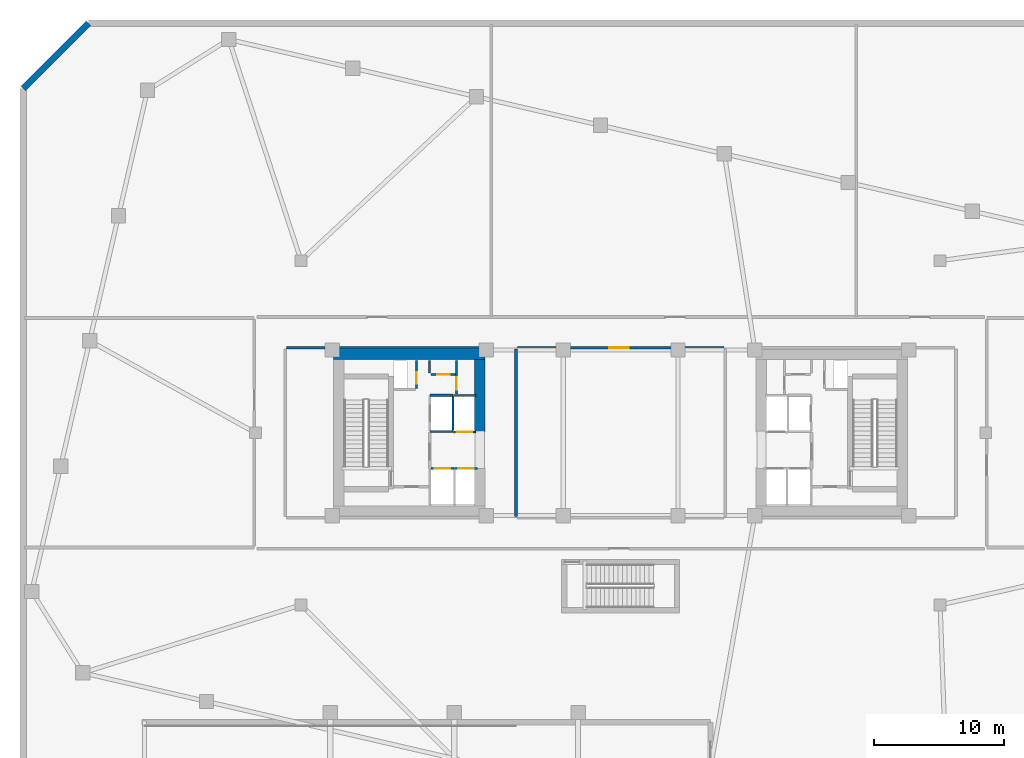
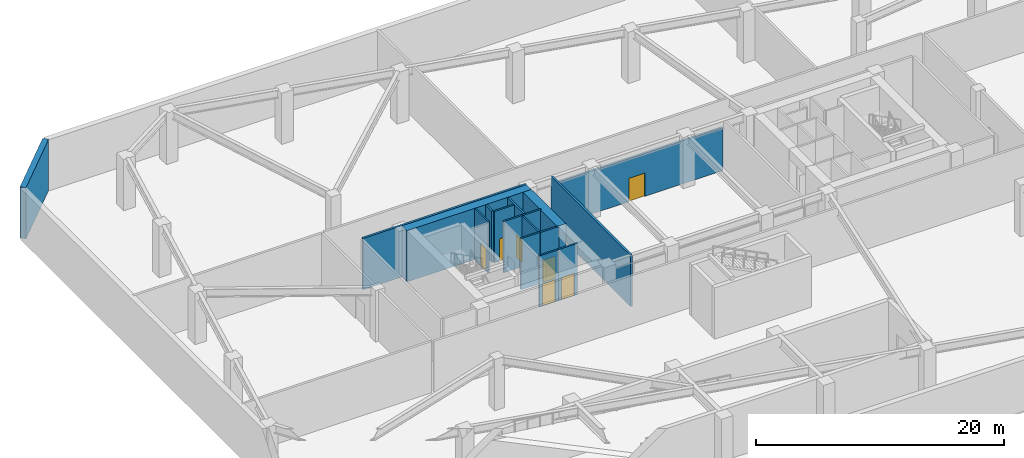
# One storey, part 6 of 11: 17 walls, 7 doors, 7 openings.
"""IFC4 building model written with IfcOpenShell, lengths in metres."""

from ifc_helpers import new_model, si_unit, direction, frame, frame_2d, origin, place, context, subcontext, project, spatial, rectangle, extrude, material, layer, layer_set, type_object, element, fill, save


model = new_model("IFC4")

# Units and contexts
model_context = context("Model", 3, precision=1e-05, world=origin(), true_north=direction((0.0, 1.0)))
body_context = subcontext(model_context, "Body", "Model", "MODEL_VIEW")
ifc_project = project(units=[si_unit("LENGTHUNIT", "METRE"), si_unit("AREAUNIT", "SQUARE_METRE"), si_unit("VOLUMEUNIT", "CUBIC_METRE"), si_unit("PLANEANGLEUNIT", "RADIAN"), si_unit("MASSUNIT", "GRAM", prefix="KILO")], contexts=[model_context])

# Site, building, storey
site_placement = place(None, origin())
site = spatial("IfcSite", under=ifc_project, at=site_placement, CompositionType="ELEMENT")
building_placement = place(site_placement, origin())
building = spatial("IfcBuilding", under=site, at=building_placement, Name="Tavrogorsk Clinical Tower", CompositionType="ELEMENT")
storey_placement = place(building_placement, frame((0.0, 0.0, -5.39990234375)))
storey = spatial("IfcBuildingStorey", under=building, at=storey_placement, Name="B1", CompositionType="ELEMENT", Elevation=-5.39990234375)

# Wall, opening, door
ifc_material_1 = material(Name="Concrete B60", Category="concrete")
ifc_layer_1 = layer(ifc_material_1, 0.199951171875)
ifc_layer_set_1 = layer_set([ifc_layer_1], Name="Concrete B60")
wall_type_1 = type_object("IfcWallType", Name="CoreFireWall_200", PredefinedType="SOLIDWALL", material=ifc_layer_set_1)
wall_1_placement = place(storey_placement, frame((7.9150390625, 6.52001953125, 0.0), z_axis=(0.0, 0.0, 1.0), x_axis=(-1.0, 0.0, 0.0)))
wall_1 = element("IfcWall", 1, at=wall_1_placement, inside=storey, type_object=wall_type_1, Name="B1 Corridor Fire Wall 09", PredefinedType="SOLIDWALL", context=body_context, shape_type="SweptSolid", body=[
    extrude(rectangle(XDim=15.830078125, YDim=0.199951171875, at=frame_2d((7.9150390625, 0.0))), origin(), (0.0, 0.0, 1.0), 4.244873046875),
])
opening_1_placement = place(wall_1_placement, frame((7.27001953125, 0.0, 0.0)))
opening_1 = element("IfcOpeningElement", 2, at=opening_1_placement, cuts=wall_1, Name="Opening FD-03", PredefinedType="OPENING", context=body_context, shape_type="SweptSolid", body=[
    extrude(rectangle(XDim=1.5, YDim=2.300048828125, at=frame_2d((0.75, 1.14990234375))), frame((0.0, 0.10986328125, 0.0), z_axis=(0.0, -1.0, 0.0), x_axis=(1.0, 0.0, 0.0)), (0.0, 0.0, 1.0), 0.219970703125),
])
ifc_material_2 = material(Name="Galvanised steel double fire door assembly", Category="steel")
door_type_1 = type_object("IfcDoorType", Name="FireDoor_FD03_1500", OperationType="DOUBLE_SWING_LEFT", PredefinedType="DOOR", material=ifc_material_2)
door_1_placement = place(opening_1_placement, origin())
door_1 = element("IfcDoor", 3, at=door_1_placement, inside=storey, type_object=door_type_1, Name="B1 Uninterruptible Power Supply Hall Fire Door", OperationType="DOUBLE_SWING_LEFT", OverallHeight=2.300048828125, OverallWidth=1.5, PredefinedType="DOOR", context=body_context, shape_type="SweptSolid", body=[
    extrude(rectangle(XDim=1.5, YDim=2.300048828125, at=frame_2d((0.75, 1.14990234375))), frame((0.0, 0.02490234375, 0.0), z_axis=(0.0, -1.0, 0.0), x_axis=(1.0, 0.0, 0.0)), (0.0, 0.0, 1.0), 0.050048828125),
])
fill(opening_1, door_1)

# Walls
wall_2_placement = place(storey_placement, frame((-8.02001953125, 6.4150390625, 0.0), z_axis=(0.0, 0.0, 1.0), x_axis=(0.0, -1.0, 0.0)))
element("IfcWall", 4, at=wall_2_placement, inside=storey, type_object=wall_type_1, Name="B1 Corridor Fire Wall 10", PredefinedType="SOLIDWALL", context=body_context, shape_type="SweptSolid", body=[
    extrude(rectangle(XDim=12.830078125, YDim=0.199951171875, at=frame_2d((6.4150390625, 0.0))), origin(), (0.0, 0.0, 1.0), 5.0498046875),
])
wall_3_placement = place(storey_placement, frame((-10.3798828125, 6.52001953125, 0.0), z_axis=(0.0, 0.0, 1.0), x_axis=(-1.0, 0.0, 0.0)))
element("IfcWall", 5, at=wall_3_placement, inside=storey, type_object=wall_type_1, Name="B1 Corridor Fire Wall 12", PredefinedType="SOLIDWALL", context=body_context, shape_type="SweptSolid", body=[
    extrude(rectangle(XDim=15.235107421875, YDim=0.199951171875, at=frame_2d((7.61767578125, 0.0))), origin(), (0.0, 0.0, 1.0), 5.0498046875),
])

# Wall, opening, door
ifc_material_3 = material(Name="Lightweight concrete blockwork B15", Category="masonry")
ifc_layer_2 = layer(ifc_material_3, 0.159912109375)
ifc_layer_set_2 = layer_set([ifc_layer_2], Name="Lightweight concrete blockwork B15")
wall_type_2 = type_object("IfcWallType", Name="PartitionWall_160", PredefinedType="PARTITIONING", material=ifc_layer_set_2)
wall_4_placement = place(storey_placement, frame((-12.580078125, 2.9599609375, 0.0), z_axis=(0.0, 0.0, 1.0), x_axis=(0.0, 1.0, 0.0)))
wall_4 = element("IfcWall", 6, at=wall_4_placement, inside=storey, type_object=wall_type_2, Name="B1 Core West Linen Closet Wall", PredefinedType="PARTITIONING", context=body_context, shape_type="SweptSolid", body=[
    extrude(rectangle(XDim=2.60009765625, YDim=0.159912109375, at=frame_2d((1.300048828125, 0.0))), origin(), (0.0, 0.0, 1.0), 5.0498046875),
])
opening_2_placement = place(wall_4_placement, frame((0.35009765625, 0.0, 0.0)))
opening_2 = element("IfcOpeningElement", 7, at=opening_2_placement, cuts=wall_4, Name="Opening ID-02", PredefinedType="OPENING", context=body_context, shape_type="SweptSolid", body=[
    extrude(rectangle(XDim=0.949951171875, YDim=2.199951171875, at=frame_2d((0.47509765625, 1.10009765625))), frame((0.0, 0.08984375, 0.0), z_axis=(0.0, -1.0, 0.0), x_axis=(1.0, 0.0, 0.0)), (0.0, 0.0, 1.0), 0.179931640625),
])
ifc_material_4 = material(Name="Laminated timber leaf on aluminium frame", Category="wood")
door_type_2 = type_object("IfcDoorType", Name="InteriorDoor_ID02_950", OperationType="NOTDEFINED", PredefinedType="DOOR", material=ifc_material_4)
door_2_placement = place(opening_2_placement, origin())
door_2 = element("IfcDoor", 8, at=door_2_placement, inside=storey, type_object=door_type_2, Name="B1 Core West Linen Closet Door", OperationType="SINGLE_SWING_LEFT", OverallHeight=2.199951171875, OverallWidth=0.949951171875, PredefinedType="DOOR", context=body_context, shape_type="SweptSolid", body=[
    extrude(rectangle(XDim=0.949951171875, YDim=2.199951171875, at=frame_2d((0.47509765625, 1.10009765625))), frame((0.0, 0.02490234375, 0.0), z_axis=(0.0, -1.0, 0.0), x_axis=(1.0, 0.0, 0.0)), (0.0, 0.0, 1.0), 0.050048828125),
])
fill(opening_2, door_2)

wall_5_placement = place(storey_placement, frame((-14.554931640625, 4.47998046875, 0.0), z_axis=(0.0, 0.0, 1.0), x_axis=(1.0, 0.0, 0.0)))
wall_5 = element("IfcWall", 9, at=wall_5_placement, inside=storey, type_object=wall_type_2, Name="B1 Core West Housekeeping South Wall", PredefinedType="PARTITIONING", context=body_context, shape_type="SweptSolid", body=[
    extrude(rectangle(XDim=1.889892578125, YDim=0.159912109375, at=frame_2d((0.94482421875, 0.0))), origin(), (0.0, 0.0, 1.0), 5.0498046875),
])
opening_3_placement = place(wall_5_placement, frame((0.5, 0.0, 0.0)))
opening_3 = element("IfcOpeningElement", 10, at=opening_3_placement, cuts=wall_5, Name="Opening ID-02", PredefinedType="OPENING", context=body_context, shape_type="SweptSolid", body=[
    extrude(rectangle(XDim=0.949951171875, YDim=2.199951171875, at=frame_2d((0.47509765625, 1.10009765625))), frame((0.0, 0.08984375, 0.0), z_axis=(0.0, -1.0, 0.0), x_axis=(1.0, 0.0, 0.0)), (0.0, 0.0, 1.0), 0.179931640625),
])
door_3_placement = place(opening_3_placement, origin())
door_3 = element("IfcDoor", 11, at=door_3_placement, inside=storey, type_object=door_type_2, Name="B1 Core West Housekeeping Closet Door", OperationType="SINGLE_SWING_RIGHT", OverallHeight=2.199951171875, OverallWidth=0.949951171875, PredefinedType="DOOR", context=body_context, shape_type="SweptSolid", body=[
    extrude(rectangle(XDim=0.949951171875, YDim=2.199951171875, at=frame_2d((0.47509765625, 1.10009765625))), frame((0.0, 0.02490234375, 0.0), z_axis=(0.0, -1.0, 0.0), x_axis=(1.0, 0.0, 0.0)), (0.0, 0.0, 1.0), 0.050048828125),
])
fill(opening_3, door_3)

# Walls
wall_6_placement = place(storey_placement, frame((-14.639892578125, 4.56494140625, 0.0), z_axis=(0.0, 0.0, 1.0), x_axis=(0.0, 1.0, 0.0)))
element("IfcWall", 12, at=wall_6_placement, inside=storey, type_object=wall_type_2, Name="B1 Core West Housekeeping East Wall", PredefinedType="PARTITIONING", context=body_context, shape_type="SweptSolid", body=[
    extrude(rectangle(XDim=0.9951171875, YDim=0.159912109375, at=frame_2d((0.49755859375, 0.0))), origin(), (0.0, 0.0, 1.0), 5.0498046875),
])
ifc_material_5 = material(Name="Lightweight concrete blockwork B25", Category="masonry")
ifc_layer_3 = layer(ifc_material_5, 0.159912109375)
ifc_layer_set_3 = layer_set([ifc_layer_3], Name="Lightweight concrete blockwork B25")
wall_type_3 = type_object("IfcWallType", Name="ShaftWall_160", PredefinedType="PARTITIONING", material=ifc_layer_set_3)
for number, where, z_axis, x_axis, name in (
    (13, (-14.60009765625, 0.10009765625, 0.0), (0.0, 0.0, 1.0), (1.0, 0.0, 0.0), "B1 FFL-W Shaft South Wall"),
    (14, (-14.60009765625, 2.8798828125, 0.0), (0.0, 0.0, 1.0), (1.0, 0.0, 0.0), "B1 FFL-W Shaft North Wall"),
):
    element("IfcWall", number, at=place(storey_placement, frame(where, z_axis=z_axis, x_axis=x_axis)), inside=storey, type_object=wall_type_3, Name=name, PredefinedType="PARTITIONING", context=body_context, shape_type="SweptSolid", body=[
        extrude(rectangle(XDim=1.760009765625, YDim=0.159912109375, at=frame_2d((0.8798828125, 0.0))), origin(), (0.0, 0.0, 1.0), 5.0498046875),
    ])
wall_7_placement = place(storey_placement, frame((-12.840087890625, 0.179931640625, 0.0), z_axis=(0.0, 0.0, 1.0), x_axis=(0.0, 1.0, 0.0)))
element("IfcWall", 15, at=wall_7_placement, inside=storey, type_object=wall_type_3, Name="B1 FFL-W Shaft Back Wall", PredefinedType="PARTITIONING", context=body_context, shape_type="SweptSolid", body=[
    extrude(rectangle(XDim=2.6201171875, YDim=0.159912109375, at=frame_2d((1.31005859375, 0.0))), origin(), (0.0, 0.0, 1.0), 5.0498046875),
])

# Wall, opening, door
wall_8_placement = place(storey_placement, frame((-14.530029296875, -2.75, 0.0), z_axis=(0.0, 0.0, 1.0), x_axis=(1.0, 0.0, 0.0)))
wall_8 = element("IfcWall", 16, at=wall_8_placement, inside=storey, type_object=wall_type_3, Name="B1 LP-L1 Lift Shaft Portal Wall", PredefinedType="PARTITIONING", context=body_context, shape_type="SweptSolid", body=[
    extrude(rectangle(XDim=1.760009765625, YDim=0.159912109375, at=frame_2d((0.8798828125, 0.0))), origin(), (0.0, 0.0, 1.0), 5.0498046875),
])
opening_4_placement = place(wall_8_placement, frame((0.280029296875, 0.0, 0.0)))
opening_4 = element("IfcOpeningElement", 17, at=opening_4_placement, cuts=wall_8, Name="Opening LD", PredefinedType="OPENING", context=body_context, shape_type="SweptSolid", body=[
    extrude(rectangle(XDim=1.199951171875, YDim=2.199951171875, at=frame_2d((0.60009765625, 1.10009765625))), frame((0.0, 0.08984375, 0.0), z_axis=(0.0, -1.0, 0.0), x_axis=(1.0, 0.0, 0.0)), (0.0, 0.0, 1.0), 0.179931640625),
])
ifc_material_6 = material(Name="Brushed stainless steel AISI 304 sliding doors", Category="steel")
door_type_3 = type_object("IfcDoorType", Name="LiftLandingDoor_LD_1200", OperationType="SLIDING_TO_LEFT", PredefinedType="DOOR", material=ifc_material_6)
door_4_placement = place(opening_4_placement, origin())
door_4 = element("IfcDoor", 18, at=door_4_placement, inside=storey, type_object=door_type_3, Name="B1 LP-L1 Sliding Lift Landing Door", OperationType="SLIDING_TO_LEFT", OverallHeight=2.199951171875, OverallWidth=1.199951171875, PredefinedType="DOOR", context=body_context, shape_type="SweptSolid", body=[
    extrude(rectangle(XDim=1.199951171875, YDim=2.199951171875, at=frame_2d((0.60009765625, 1.10009765625))), frame((0.0, 0.02490234375, 0.0), z_axis=(0.0, -1.0, 0.0), x_axis=(1.0, 0.0, 0.0)), (0.0, 0.0, 1.0), 0.050048828125),
])
fill(opening_4, door_4)

wall_9_placement = place(storey_placement, frame((-12.72998046875, -2.75, 0.0), z_axis=(0.0, 0.0, 1.0), x_axis=(1.0, 0.0, 0.0)))
wall_9 = element("IfcWall", 19, at=wall_9_placement, inside=storey, type_object=wall_type_3, Name="B1 LP-M1 Lift Shaft Portal Wall", PredefinedType="PARTITIONING", context=body_context, shape_type="SweptSolid", body=[
    extrude(rectangle(XDim=1.760009765625, YDim=0.159912109375, at=frame_2d((0.8798828125, 0.0))), origin(), (0.0, 0.0, 1.0), 5.0498046875),
])
opening_5_placement = place(wall_9_placement, frame((0.280029296875, 0.0, 0.0)))
opening_5 = element("IfcOpeningElement", 20, at=opening_5_placement, cuts=wall_9, Name="Opening LD", PredefinedType="OPENING", context=body_context, shape_type="SweptSolid", body=[
    extrude(rectangle(XDim=1.199951171875, YDim=2.199951171875, at=frame_2d((0.60009765625, 1.10009765625))), frame((0.0, 0.08984375, 0.0), z_axis=(0.0, -1.0, 0.0), x_axis=(1.0, 0.0, 0.0)), (0.0, 0.0, 1.0), 0.179931640625),
])
door_5_placement = place(opening_5_placement, origin())
door_5 = element("IfcDoor", 21, at=door_5_placement, inside=storey, type_object=door_type_3, Name="B1 LP-M1 Sliding Lift Landing Door", OperationType="SLIDING_TO_LEFT", OverallHeight=2.199951171875, OverallWidth=1.199951171875, PredefinedType="DOOR", context=body_context, shape_type="SweptSolid", body=[
    extrude(rectangle(XDim=1.199951171875, YDim=2.199951171875, at=frame_2d((0.60009765625, 1.10009765625))), frame((0.0, 0.02490234375, 0.0), z_axis=(0.0, -1.0, 0.0), x_axis=(1.0, 0.0, 0.0)), (0.0, 0.0, 1.0), 0.050048828125),
])
fill(opening_5, door_5)

wall_10_placement = place(storey_placement, frame((-12.820068359375, 0.06005859375, 0.0), z_axis=(0.0, 0.0, 1.0), x_axis=(1.0, 0.0, 0.0)))
wall_10 = element("IfcWall", 22, at=wall_10_placement, inside=storey, type_object=wall_type_3, Name="B1 LP-H1 High-Zone Lift Portal Wall", PredefinedType="PARTITIONING", context=body_context, shape_type="SweptSolid", body=[
    extrude(rectangle(XDim=1.719970703125, YDim=0.159912109375, at=frame_2d((0.85986328125, 0.0))), origin(), (0.0, 0.0, 1.0), 5.0498046875),
])
opening_6_placement = place(wall_10_placement, frame((0.260009765625, 0.0, 0.0)))
opening_6 = element("IfcOpeningElement", 23, at=opening_6_placement, cuts=wall_10, Name="Opening LD", PredefinedType="OPENING", context=body_context, shape_type="SweptSolid", body=[
    extrude(rectangle(XDim=1.199951171875, YDim=2.199951171875, at=frame_2d((0.60009765625, 1.10009765625))), frame((0.0, 0.08984375, 0.0), z_axis=(0.0, -1.0, 0.0), x_axis=(1.0, 0.0, 0.0)), (0.0, 0.0, 1.0), 0.179931640625),
])
door_6_placement = place(opening_6_placement, origin())
door_6 = element("IfcDoor", 24, at=door_6_placement, inside=storey, type_object=door_type_3, Name="B1 LP-H1 Sliding Lift Landing Door", OperationType="SLIDING_TO_LEFT", OverallHeight=2.199951171875, OverallWidth=1.199951171875, PredefinedType="DOOR", context=body_context, shape_type="SweptSolid", body=[
    extrude(rectangle(XDim=1.199951171875, YDim=2.199951171875, at=frame_2d((0.60009765625, 1.10009765625))), frame((0.0, 0.02490234375, 0.0), z_axis=(0.0, -1.0, 0.0), x_axis=(1.0, 0.0, 0.0)), (0.0, 0.0, 1.0), 0.050048828125),
])
fill(opening_6, door_6)

# Wall
wall_11_placement = place(storey_placement, frame((-12.820068359375, 2.860107421875, 0.0), z_axis=(0.0, 0.0, 1.0), x_axis=(1.0, 0.0, 0.0)))
element("IfcWall", 25, at=wall_11_placement, inside=storey, type_object=wall_type_3, Name="B1 LP-H1 High-Zone Lift Rear Wall", PredefinedType="PARTITIONING", context=body_context, shape_type="SweptSolid", body=[
    extrude(rectangle(XDim=1.719970703125, YDim=0.159912109375, at=frame_2d((0.85986328125, 0.0))), origin(), (0.0, 0.0, 1.0), 5.0498046875),
])

# Wall, opening, door
wall_12_placement = place(storey_placement, frame((-15.639892578125, 3.405029296875, 0.0), z_axis=(0.0, 0.0, 1.0), x_axis=(0.0, 1.0, 0.0)))
wall_12 = element("IfcWall", 26, at=wall_12_placement, inside=storey, type_object=wall_type_3, Name="B1 Core West Riser West Wall", PredefinedType="PARTITIONING", context=body_context, shape_type="SweptSolid", body=[
    extrude(rectangle(XDim=2.155029296875, YDim=0.159912109375, at=frame_2d((1.07763671875, 0.0))), origin(), (0.0, 0.0, 1.0), 5.0498046875),
])
opening_7_placement = place(wall_12_placement, frame((0.35009765625, 0.0, 0.0)))
opening_7 = element("IfcOpeningElement", 27, at=opening_7_placement, cuts=wall_12, Name="Opening FD-02", PredefinedType="OPENING", context=body_context, shape_type="SweptSolid", body=[
    extrude(rectangle(XDim=0.89990234375, YDim=2.199951171875, at=frame_2d((0.449951171875, 1.10009765625))), frame((0.0, 0.08984375, 0.0), z_axis=(0.0, -1.0, 0.0), x_axis=(1.0, 0.0, 0.0)), (0.0, 0.0, 1.0), 0.179931640625),
])
ifc_material_7 = material(Name="Galvanised steel fire-rated door assembly", Category="steel")
door_type_4 = type_object("IfcDoorType", Name="FireDoor_FD02_900", OperationType="NOTDEFINED", PredefinedType="DOOR", material=ifc_material_7)
door_7_placement = place(opening_7_placement, origin())
door_7 = element("IfcDoor", 28, at=door_7_placement, inside=storey, type_object=door_type_4, Name="B1 Core West Electrical Riser Access Door", OperationType="SINGLE_SWING_LEFT", OverallHeight=2.199951171875, OverallWidth=0.89990234375, PredefinedType="DOOR", context=body_context, shape_type="SweptSolid", body=[
    extrude(rectangle(XDim=0.89990234375, YDim=2.199951171875, at=frame_2d((0.449951171875, 1.10009765625))), frame((0.0, 0.02490234375, 0.0), z_axis=(0.0, -1.0, 0.0), x_axis=(1.0, 0.0, 0.0)), (0.0, 0.0, 1.0), 0.050048828125),
])
fill(opening_7, door_7)

# Walls
ifc_material_8 = material(Name="Concrete B60", Category="concrete")
ifc_layer_4 = layer(ifc_material_8, 0.5)
ifc_layer_set_4 = layer_set([ifc_layer_4], Name="Concrete B60")
wall_type_4 = type_object("IfcWallType", Name="ShearWall_500", PredefinedType="SHEAR", material=ifc_layer_set_4)
wall_13_placement = place(storey_placement, frame((-40.800048828125, 31.39990234375, 0.0), z_axis=(0.0, 0.0, 1.0), x_axis=(-0.707106781187, -0.707106781187, 0.0)))
element("IfcWall", 29, at=wall_13_placement, inside=storey, type_object=wall_type_4, Name="B1 Retaining Wall 6", PredefinedType="SHEAR", context=body_context, shape_type="SweptSolid", body=[
    extrude(rectangle(XDim=7.071044921875, YDim=0.5, at=frame_2d((3.53564453125, 0.0))), origin(), (0.0, 0.0, 1.0), 5.0498046875),
])
ifc_material_9 = material(Name="Concrete B80", Category="concrete")
ifc_layer_5 = layer(ifc_material_9, 0.800048828125)
ifc_layer_set_5 = layer_set([ifc_layer_5], Name="Concrete B80")
wall_type_5 = type_object("IfcWallType", Name="ShearWall_800", PredefinedType="SHEAR", material=ifc_layer_set_5)
wall_14_placement = place(storey_placement, frame((-22.0, 6.0, 0.0), z_axis=(0.0, 0.0, 1.0), x_axis=(1.0, 0.0, 0.0)))
element("IfcWall", 30, at=wall_14_placement, inside=storey, type_object=wall_type_5, Name="B1 Core West North Shear Wall", PredefinedType="SHEAR", context=body_context, shape_type="SweptSolid", body=[
    extrude(rectangle(XDim=11.60009765625, YDim=0.800048828125, at=frame_2d((5.800048828125, 0.0))), origin(), (0.0, 0.0, 1.0), 5.0498046875),
])
wall_15_placement = place(storey_placement, frame((-10.800048828125, 0.050048828125, 0.0), z_axis=(0.0, 0.0, 1.0), x_axis=(0.0, 1.0, 0.0)))
element("IfcWall", 31, at=wall_15_placement, inside=storey, type_object=wall_type_5, Name="B1 Core West Inner North Pier", PredefinedType="SHEAR", context=body_context, shape_type="SweptSolid", body=[
    extrude(rectangle(XDim=5.550048828125, YDim=0.800048828125, at=frame_2d((2.77490234375, 0.0))), origin(), (0.0, 0.0, 1.0), 5.0498046875),
])

save(model, "model.ifc")
